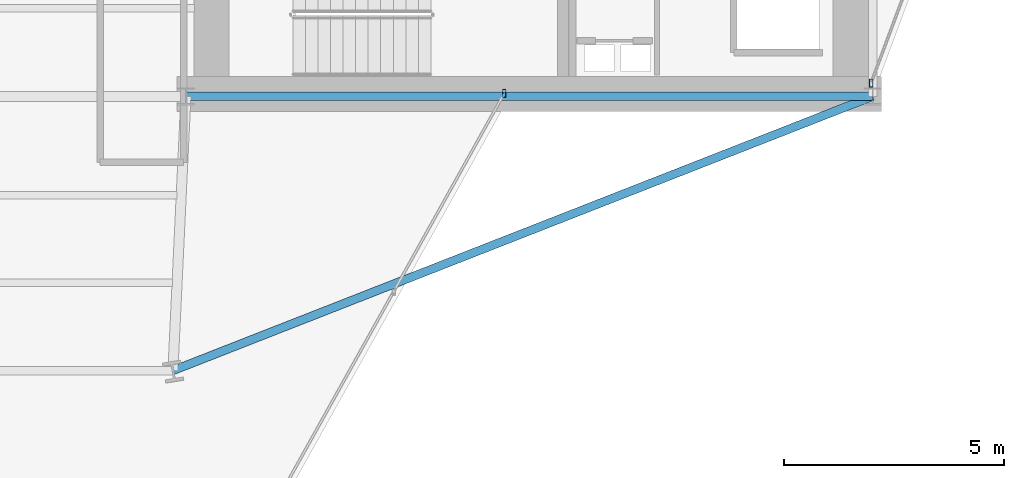
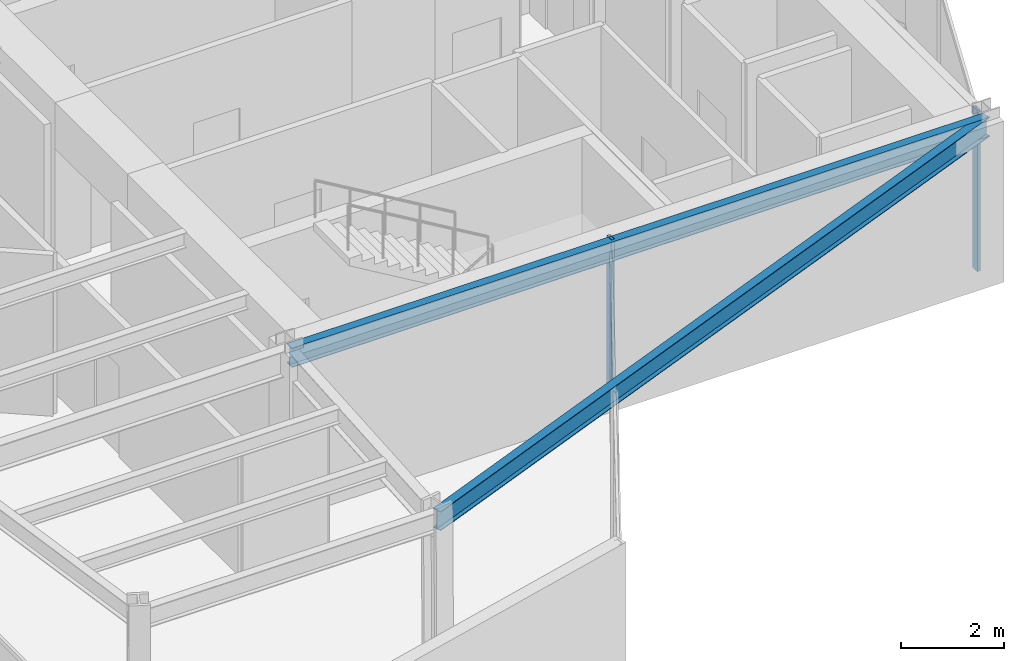
# One storey, part 14 of 23: 2 beams, 2 members, 2 elements without a shape of their own.
"""IFC4 building model written with IfcOpenShell, lengths in metres."""

from ifc_helpers import new_model, si_unit, direction, frame, origin, origin_2d, place, context, subcontext, project, spatial, hollow_rectangle, i_section, extrude, material, layer, layer_set, material_profile, profile_set, type_object, element, aggregate, save


model = new_model("IFC4")

# Units and contexts
model_context = context("Model", 3, precision=1e-05, world=origin(), true_north=direction((0.0, 1.0)))
body_context = subcontext(model_context, "Body", "Model", "MODEL_VIEW")
ifc_project = project(units=[si_unit("LENGTHUNIT", "METRE"), si_unit("AREAUNIT", "SQUARE_METRE"), si_unit("VOLUMEUNIT", "CUBIC_METRE"), si_unit("PLANEANGLEUNIT", "RADIAN"), si_unit("MASSUNIT", "GRAM", prefix="KILO")], contexts=[model_context])

# Site, building, storey
site_placement = place(None, origin())
site = spatial("IfcSite", under=ifc_project, at=site_placement, CompositionType="ELEMENT")
building_placement = place(site_placement, origin())
building = spatial("IfcBuilding", under=site, at=building_placement, Name="Veymaron Broadcast Tower", CompositionType="ELEMENT")
storey_placement = place(building_placement, frame((0.0, 0.0, 161.39990234375)))
storey = spatial("IfcBuildingStorey", under=building, at=storey_placement, Name="L37", CompositionType="ELEMENT", Elevation=161.39990234375)

# Beams
ifc_material_1 = material(Name="Structural steel ASTM A992 Gr 50", Category="steel")
ifc_material_profile_1 = material_profile(ifc_material_1, i_section(OverallWidth=0.19091796875, OverallDepth=0.4599609375, WebThickness=0.010009765625, FlangeThickness=0.01611328125, at=origin_2d()), Name="W460X82")
ifc_profile_set_1 = profile_set([ifc_material_profile_1], Name="Structural steel ASTM A992 Gr 50")
beam_type = type_object("IfcBeamType", Name="BM-SP1", PredefinedType="SPANDREL", material=ifc_profile_set_1)
beam_1_placement = place(storey_placement, frame((39.0, 16.0, 3.580078125), z_axis=(1.0, 0.0, 0.0), x_axis=(0.0, 1.0, 0.0)))
element("IfcBeam", 1, at=beam_1_placement, inside=storey, type_object=beam_type, Name="L37 primary structural floor girder", PredefinedType="SPANDREL", context=body_context, shape_type="SweptSolid", body=[
    extrude(i_section(OverallWidth=0.19091796875, OverallDepth=0.4599609375, WebThickness=0.010009765625, FlangeThickness=0.01611328125, at=origin_2d()), origin(), (0.0, 0.0, 1.0), 15.60009765625),
])
beam_2_placement = place(storey_placement, frame((54.60009765625, 16.0, 3.580078125), z_axis=(-0.9310400863, -0.364916918905, 0.0), x_axis=(0.364916918905, -0.9310400863, 0.0)))
element("IfcBeam", 2, at=beam_2_placement, inside=storey, type_object=beam_type, Name="L37 primary structural floor girder", PredefinedType="SPANDREL", context=body_context, shape_type="SweptSolid", body=[
    extrude(i_section(OverallWidth=0.19091796875, OverallDepth=0.4599609375, WebThickness=0.010009765625, FlangeThickness=0.01611328125, at=origin_2d()), origin(), (0.0, 0.0, 1.0), 17.072265625),
])

# Curtain wall, member
ifc_material_2 = material(Name="Anodised aluminium AA 6063-T6 and laminated low-E dark glass", Category="aluminium")
ifc_layer = layer(ifc_material_2, 0.179931640625)
ifc_layer_set = layer_set([ifc_layer], Name="Anodised aluminium AA 6063-T6 and laminated low-E dark glass")
curtain_wall_type = type_object("IfcCurtainWallType", Name="CW-SYS-03", PredefinedType="NOTDEFINED", material=ifc_layer_set)
curtain_wall_1_placement = place(storey_placement, origin())
curtain_wall_1 = element("IfcCurtainWall", 3, at=curtain_wall_1_placement, inside=storey, type_object=curtain_wall_type, Name="L37 dark-glass curtain wall CW-L37-E1-1", PredefinedType="NOTDEFINED")
ifc_material_3 = material(Name="Anodised aluminium AA 6063-T6", Category="aluminium")
ifc_material_profile_2 = material_profile(ifc_material_3, hollow_rectangle(XDim=0.074951171875, YDim=0.179931640625, WallThickness=0.0048828125, at=origin_2d()), Name="AL180X75X5")
ifc_profile_set_2 = profile_set([ifc_material_profile_2], Name="Anodised aluminium AA 6063-T6")
member_type = type_object("IfcMemberType", Name="CW-MUL-02", PredefinedType="MULLION", material=ifc_profile_set_2)
member_1_placement = place(storey_placement, frame((46.2314453125, 16.068115234375, 0.0), z_axis=(0.0, 0.0, 1.0), x_axis=(1.0, 0.0, 0.0)))
member_1 = element("IfcMember", 4, at=member_1_placement, type_object=member_type, Name="CW-L37-E1-1 mullion 2", PredefinedType="MULLION", context=body_context, shape_type="SweptSolid", body=[
    extrude(hollow_rectangle(XDim=0.074951171875, YDim=0.179931640625, WallThickness=0.0048828125, at=origin_2d()), origin(), (0.0, 0.0, 1.0), 3.81005859375),
])
aggregate(curtain_wall_1, [member_1])

curtain_wall_2_placement = place(storey_placement, origin())
curtain_wall_2 = element("IfcCurtainWall", 5, at=curtain_wall_2_placement, inside=storey, type_object=curtain_wall_type, Name="L37 dark-glass curtain wall CW-L37-E3-1", PredefinedType="NOTDEFINED")
member_2_placement = place(storey_placement, frame((54.562744140625, 16.30078125, 0.0), z_axis=(0.0, 0.0, 1.0), x_axis=(1.0, 0.0, 0.0)))
member_2 = element("IfcMember", 6, at=member_2_placement, type_object=member_type, Name="CW-L37-E3-1 mullion 0", PredefinedType="MULLION", context=body_context, shape_type="SweptSolid", body=[
    extrude(hollow_rectangle(XDim=0.074951171875, YDim=0.179931640625, WallThickness=0.0048828125, at=origin_2d()), origin(), (0.0, 0.0, 1.0), 3.81005859375),
])
aggregate(curtain_wall_2, [member_2])

save(model, "model.ifc")
